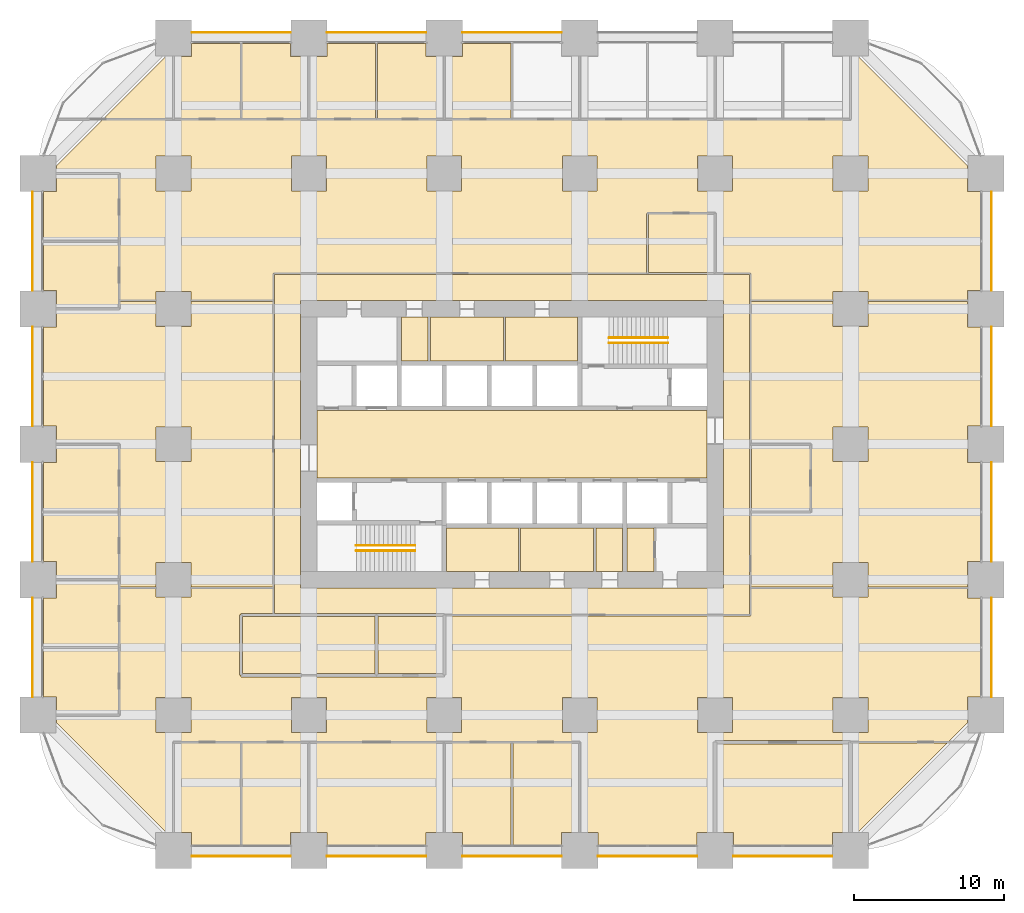
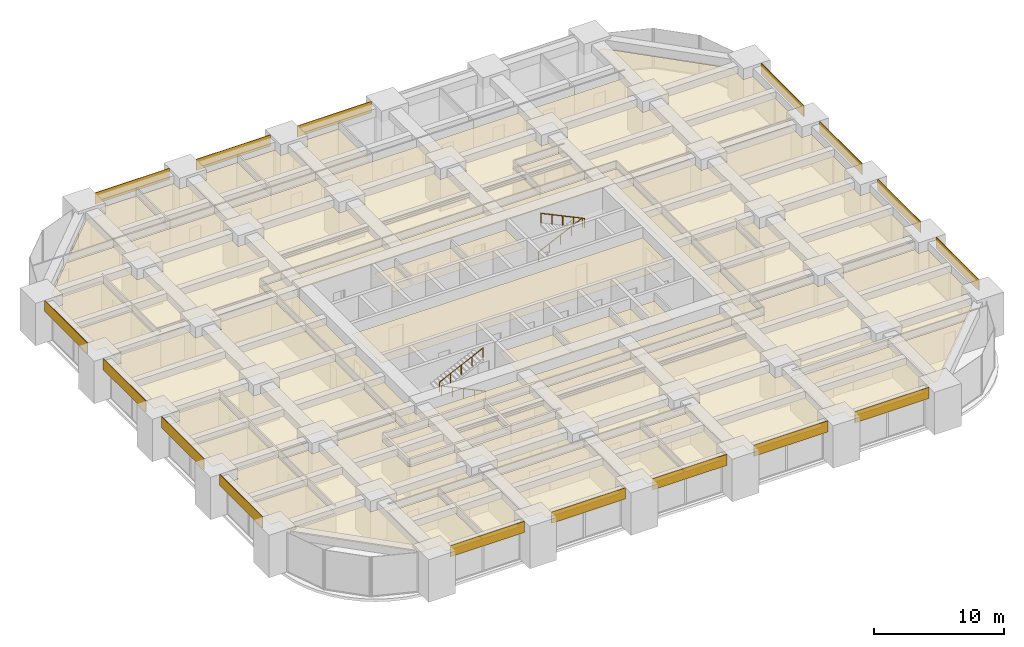
# One storey, part 43 of 44: 52 coverings, 4 railings.
"""IFC4 building model written with IfcOpenShell, lengths in metres."""

from ifc_helpers import new_model, si_unit, direction, frame, frame_2d, origin, origin_2d, place, context, subcontext, project, spatial, polyline, rectangle, circle, outline, extrude, material, layer, layer_set, type_object, element, save


model = new_model("IFC4")

# Units and contexts
model_context = context("Model", 3, precision=1e-05, world=origin(), true_north=direction((0.0, 1.0)))
body_context = subcontext(model_context, "Body", "Model", "MODEL_VIEW")
ifc_project = project(units=[si_unit("LENGTHUNIT", "METRE"), si_unit("AREAUNIT", "SQUARE_METRE"), si_unit("VOLUMEUNIT", "CUBIC_METRE"), si_unit("PLANEANGLEUNIT", "RADIAN"), si_unit("MASSUNIT", "GRAM", prefix="KILO")], contexts=[model_context])

# Site, building, storey
site_placement = place(None, origin())
site = spatial("IfcSite", under=ifc_project, at=site_placement, CompositionType="ELEMENT")
building_placement = place(site_placement, origin())
building = spatial("IfcBuilding", under=site, at=building_placement, Name="Zorevar Civic Tower", CompositionType="ELEMENT")
storey_placement = place(building_placement, frame((0.0, 0.0, 31.800048828125)))
storey = spatial("IfcBuildingStorey", under=building, at=storey_placement, Name="L07", CompositionType="ELEMENT", Elevation=31.800048828125)

# Railings
ifc_material_1 = material(Name="Black steel handrail", Category="steel")
railing_type = type_object("IfcRailingType", Name="Handrail HR1 900", PredefinedType="HANDRAIL", material=ifc_material_1)
railing_1_placement = place(storey_placement, frame((25.050048828125, 19.925048828125, 0.142822265625)))
element("IfcRailing", 1, at=railing_1_placement, inside=storey, type_object=railing_type, Name="Handrail HR1 ST1 L07", PredefinedType="HANDRAIL", context=body_context, shape_type="SweptSolid", body=[
    extrude(circle(Radius=0.02392578125, at=origin_2d()), frame((0.0, 0.0, 0.8759765625), z_axis=(-0.902863652845, 0.0, 0.429926998885), x_axis=(0.0, -1.0, 0.0)), (0.0, 0.0, 1.0), 4.31982421875),
    extrude(circle(Radius=0.02099609375, at=origin_2d()), origin(), (0.0, 0.0, 1.0), 0.851806640625),
    extrude(circle(Radius=0.02099609375, at=origin_2d()), frame((-0.97509765625, 0.0, 0.46435546875)), (0.0, 0.0, 1.0), 0.851806640625),
    extrude(circle(Radius=0.02099609375, at=origin_2d()), frame((-1.9501953125, 0.0, 0.9287109375)), (0.0, 0.0, 1.0), 0.851806640625),
    extrude(circle(Radius=0.02099609375, at=origin_2d()), frame((-2.925048828125, 0.0, 1.392822265625)), (0.0, 0.0, 1.0), 0.851806640625),
    extrude(circle(Radius=0.02099609375, at=origin_2d()), frame((-3.900146484375, 0.0, 1.857177734375)), (0.0, 0.0, 1.0), 0.851806640625),
])
for number, where, name in (
    (2, (21.14990234375, 20.27490234375, 2.142822265625), "Handrail HR1 ST1 L07"),
    (3, (37.949951171875, 34.074951171875, 0.142822265625), "Handrail HR1 ST2 L07"),
):
    element("IfcRailing", number, at=place(storey_placement, frame(where)), inside=storey, type_object=railing_type, Name=name, PredefinedType="HANDRAIL", context=body_context, shape_type="SweptSolid", body=[
        extrude(circle(Radius=0.02392578125, at=origin_2d()), frame((0.0, 0.0, 0.8759765625), z_axis=(0.902863652845, 0.0, 0.429926998885), x_axis=(0.0, 1.0, 0.0)), (0.0, 0.0, 1.0), 4.31982421875),
        extrude(circle(Radius=0.02099609375, at=origin_2d()), origin(), (0.0, 0.0, 1.0), 0.851806640625),
        extrude(circle(Radius=0.02099609375, at=origin_2d()), frame((0.97509765625, 0.0, 0.46435546875)), (0.0, 0.0, 1.0), 0.851806640625),
        extrude(circle(Radius=0.02099609375, at=origin_2d()), frame((1.9501953125, 0.0, 0.9287109375)), (0.0, 0.0, 1.0), 0.851806640625),
        extrude(circle(Radius=0.02099609375, at=origin_2d()), frame((2.925048828125, 0.0, 1.392822265625)), (0.0, 0.0, 1.0), 0.851806640625),
        extrude(circle(Radius=0.02099609375, at=origin_2d()), frame((3.900146484375, 0.0, 1.857177734375)), (0.0, 0.0, 1.0), 0.851806640625),
    ])
railing_2_placement = place(storey_placement, frame((41.85009765625, 33.72509765625, 2.142822265625)))
element("IfcRailing", 4, at=railing_2_placement, inside=storey, type_object=railing_type, Name="Handrail HR1 ST2 L07", PredefinedType="HANDRAIL", context=body_context, shape_type="SweptSolid", body=[
    extrude(circle(Radius=0.02392578125, at=origin_2d()), frame((0.0, 0.0, 0.8759765625), z_axis=(-0.902863652845, 0.0, 0.429926998885), x_axis=(0.0, -1.0, 0.0)), (0.0, 0.0, 1.0), 4.31982421875),
    extrude(circle(Radius=0.02099609375, at=origin_2d()), origin(), (0.0, 0.0, 1.0), 0.851806640625),
    extrude(circle(Radius=0.02099609375, at=origin_2d()), frame((-0.97509765625, 0.0, 0.46435546875)), (0.0, 0.0, 1.0), 0.851806640625),
    extrude(circle(Radius=0.02099609375, at=origin_2d()), frame((-1.9501953125, 0.0, 0.9287109375)), (0.0, 0.0, 1.0), 0.851806640625),
    extrude(circle(Radius=0.02099609375, at=origin_2d()), frame((-2.925048828125, 0.0, 1.392822265625)), (0.0, 0.0, 1.0), 0.851806640625),
    extrude(circle(Radius=0.02099609375, at=origin_2d()), frame((-3.900146484375, 0.0, 1.857177734375)), (0.0, 0.0, 1.0), 0.851806640625),
])

# Coverings
ifc_material_2 = material(Name="Moisture-resistant gypsum board")
ifc_layer_1 = layer(ifc_material_2, 0.012451171875)
ifc_layer_set_1 = layer_set([ifc_layer_1], Name="Moisture-resistant ceiling SC3")
covering_type_1 = type_object("IfcCoveringType", Name="Moisture-resistant ceiling SC3", PredefinedType="CEILING", material=ifc_layer_set_1)
covering_1_placement = place(storey_placement, frame((0.0, 0.0, 3.0)))
element("IfcCovering", 5, at=covering_1_placement, inside=storey, type_object=covering_type_1, Name="Ceiling L07-05", PredefinedType="CEILING", context=body_context, shape_type="SweptSolid", body=[
    extrude(outline(polyline([(31.925048828125, 18.550048828125), (31.925048828125, 21.449951171875), (27.14990234375, 21.449951171875), (27.14990234375, 18.550048828125), (31.925048828125, 18.550048828125)])), origin(), (0.0, 0.0, 1.0), 0.012451171875),
])
covering_2_placement = place(storey_placement, frame((0.0, 0.0, 3.0)))
element("IfcCovering", 6, at=covering_2_placement, inside=storey, type_object=covering_type_1, Name="Ceiling L07-06", PredefinedType="CEILING", context=body_context, shape_type="SweptSolid", body=[
    extrude(outline(polyline([(36.925048828125, 18.550048828125), (36.925048828125, 21.449951171875), (32.074951171875, 21.449951171875), (32.074951171875, 18.550048828125), (36.925048828125, 18.550048828125)])), origin(), (0.0, 0.0, 1.0), 0.012451171875),
])
covering_3_placement = place(storey_placement, frame((0.0, 0.0, 3.0)))
element("IfcCovering", 7, at=covering_3_placement, inside=storey, type_object=covering_type_1, Name="Ceiling L07-07", PredefinedType="CEILING", context=body_context, shape_type="SweptSolid", body=[
    extrude(outline(polyline([(38.85009765625, 18.550048828125), (38.85009765625, 21.449951171875), (37.074951171875, 21.449951171875), (37.074951171875, 18.550048828125), (38.85009765625, 18.550048828125)])), origin(), (0.0, 0.0, 1.0), 0.012451171875),
])
covering_4_placement = place(storey_placement, frame((0.0, 0.0, 3.0)))
element("IfcCovering", 8, at=covering_4_placement, inside=storey, type_object=covering_type_1, Name="Ceiling L07-08", PredefinedType="CEILING", context=body_context, shape_type="SweptSolid", body=[
    extrude(outline(polyline([(35.85009765625, 32.550048828125), (35.85009765625, 35.449951171875), (31.074951171875, 35.449951171875), (31.074951171875, 32.550048828125), (35.85009765625, 32.550048828125)])), origin(), (0.0, 0.0, 1.0), 0.012451171875),
])
covering_5_placement = place(storey_placement, frame((0.0, 0.0, 3.0)))
element("IfcCovering", 9, at=covering_5_placement, inside=storey, type_object=covering_type_1, Name="Ceiling L07-09", PredefinedType="CEILING", context=body_context, shape_type="SweptSolid", body=[
    extrude(outline(polyline([(30.925048828125, 32.550048828125), (30.925048828125, 35.449951171875), (26.074951171875, 35.449951171875), (26.074951171875, 32.550048828125), (30.925048828125, 32.550048828125)])), origin(), (0.0, 0.0, 1.0), 0.012451171875),
])
covering_6_placement = place(storey_placement, frame((0.0, 0.0, 3.0)))
element("IfcCovering", 10, at=covering_6_placement, inside=storey, type_object=covering_type_1, Name="Ceiling L07-10", PredefinedType="CEILING", context=body_context, shape_type="SweptSolid", body=[
    extrude(outline(polyline([(25.925048828125, 32.550048828125), (25.925048828125, 35.449951171875), (24.14990234375, 35.449951171875), (24.14990234375, 32.550048828125), (25.925048828125, 32.550048828125)])), origin(), (0.0, 0.0, 1.0), 0.012451171875),
])
ifc_material_3 = material(Name="Black anodised aluminium spandrel panel", Category="aluminium")
ifc_layer_2 = layer(ifc_material_3, 0.050048828125)
ifc_layer_set_2 = layer_set([ifc_layer_2], Name="Spandrel cladding SP1")
covering_type_2 = type_object("IfcCoveringType", Name="Spandrel cladding SP1", PredefinedType="CLADDING", material=ifc_layer_set_2)
for number, where, z_axis, x_axis, name in (
    (11, (10.199951171875, -0.375, 2.949951171875), (0.0, 0.0, 1.0), (1.0, 0.0, 0.0), "Spandrel cladding L08"),
    (12, (19.199951171875, -0.375, 2.949951171875), (0.0, 0.0, 1.0), (1.0, 0.0, 0.0), "Spandrel cladding L08"),
    (13, (28.199951171875, -0.375, 2.949951171875), (0.0, 0.0, 1.0), (1.0, 0.0, 0.0), "Spandrel cladding L08"),
    (14, (37.199951171875, -0.375, 2.949951171875), (0.0, 0.0, 1.0), (1.0, 0.0, 0.0), "Spandrel cladding L08"),
    (15, (46.199951171875, -0.375, 2.949951171875), (0.0, 0.0, 1.0), (1.0, 0.0, 0.0), "Spandrel cladding L08"),
    (16, (10.199951171875, 54.375, 2.949951171875), (0.0, 0.0, 1.0), (1.0, 0.0, 0.0), "Spandrel cladding L08"),
    (17, (19.199951171875, 54.375, 2.949951171875), (0.0, 0.0, 1.0), (1.0, 0.0, 0.0), "Spandrel cladding L08"),
    (18, (28.199951171875, 54.375, 2.949951171875), (0.0, 0.0, 1.0), (1.0, 0.0, 0.0), "Spandrel cladding L08"),
    (19, (-0.375, 10.199951171875, 2.949951171875), (0.0, 0.0, 1.0), (0.0, 1.0, 0.0), "Spandrel cladding L08"),
    (20, (-0.375, 19.199951171875, 2.949951171875), (0.0, 0.0, 1.0), (0.0, 1.0, 0.0), "Spandrel cladding L08"),
    (21, (-0.375, 28.199951171875, 2.949951171875), (0.0, 0.0, 1.0), (0.0, 1.0, 0.0), "Spandrel cladding L08"),
    (22, (-0.375, 37.199951171875, 2.949951171875), (0.0, 0.0, 1.0), (0.0, 1.0, 0.0), "Spandrel cladding L08"),
    (23, (63.375, 10.199951171875, 2.949951171875), (0.0, 0.0, 1.0), (0.0, 1.0, 0.0), "Spandrel cladding L08"),
    (24, (63.375, 19.199951171875, 2.949951171875), (0.0, 0.0, 1.0), (0.0, 1.0, 0.0), "Spandrel cladding L08"),
    (25, (63.375, 28.199951171875, 2.949951171875), (0.0, 0.0, 1.0), (0.0, 1.0, 0.0), "Spandrel cladding L08"),
    (26, (63.375, 37.199951171875, 2.949951171875), (0.0, 0.0, 1.0), (0.0, 1.0, 0.0), "Spandrel cladding L08"),
):
    element("IfcCovering", number, at=place(storey_placement, frame(where, z_axis=z_axis, x_axis=x_axis)), inside=storey, type_object=covering_type_2, Name=name, PredefinedType="CLADDING", context=body_context, shape_type="SweptSolid", body=[
        extrude(rectangle(XDim=6.60009765625, YDim=0.050048828125, at=frame_2d((3.300048828125, 0.0))), origin(), (0.0, 0.0, 1.0), 1.050048828125),
    ])
ifc_material_4 = material(Name="Mineral fibre tiles on a concealed grid")
ifc_layer_3 = layer(ifc_material_4, 0.02001953125)
ifc_layer_set_3 = layer_set([ifc_layer_3], Name="Suspended ceiling SC1")
covering_type_3 = type_object("IfcCoveringType", Name="Suspended ceiling SC1", PredefinedType="CEILING", material=ifc_layer_set_3)
covering_7_placement = place(storey_placement, frame((0.0, 0.0, 3.0)))
element("IfcCovering", 27, at=covering_7_placement, inside=storey, type_object=covering_type_3, Name="Ceiling L07-11", PredefinedType="CEILING", context=body_context, shape_type="SweptSolid", body=[
    extrude(outline(polyline([(40.93994140625, 18.550048828125), (40.93994140625, 21.449951171875), (39.14990234375, 21.449951171875), (39.14990234375, 18.550048828125), (40.93994140625, 18.550048828125)])), origin(), (0.0, 0.0, 1.0), 0.02001953125),
])
covering_8_placement = place(storey_placement, frame((0.0, 0.0, 3.0)))
element("IfcCovering", 28, at=covering_8_placement, inside=storey, type_object=covering_type_3, Name="Ceiling L07-16", PredefinedType="CEILING", context=body_context, shape_type="SweptSolid", body=[
    extrude(outline(polyline([(44.449951171875, 24.75), (44.449951171875, 29.25), (18.550048828125, 29.25), (18.550048828125, 24.75), (44.449951171875, 24.75)])), origin(), (0.0, 0.0, 1.0), 0.02001953125),
])
covering_9_placement = place(storey_placement, frame((0.0, 0.0, 3.0)))
element("IfcCovering", 29, at=covering_9_placement, inside=storey, type_object=covering_type_3, Name="Ceiling L07-17", PredefinedType="CEILING", context=body_context, shape_type="SweptSolid", body=[
    extrude(outline(polyline([(13.43994140625, 7.139892578125), (13.43994140625, 0.35009765625), (10.2099609375, 0.35009765625), (10.2099609375, 1.2099609375), (9.06005859375, 1.2099609375), (9.06005859375, 7.139892578125), (13.43994140625, 7.139892578125)])), origin(), (0.0, 0.0, 1.0), 0.02001953125),
])
covering_10_placement = place(storey_placement, frame((0.0, 0.0, 3.0)))
element("IfcCovering", 30, at=covering_10_placement, inside=storey, type_object=covering_type_3, Name="Ceiling L07-18", PredefinedType="CEILING", context=body_context, shape_type="SweptSolid", body=[
    extrude(outline(polyline([(17.93994140625, 7.139892578125), (17.93994140625, 1.2099609375), (16.7900390625, 1.2099609375), (16.7900390625, 0.35009765625), (13.56005859375, 0.35009765625), (13.56005859375, 7.139892578125), (17.93994140625, 7.139892578125)])), origin(), (0.0, 0.0, 1.0), 0.02001953125),
])
covering_11_placement = place(storey_placement, frame((0.0, 0.0, 3.0)))
element("IfcCovering", 31, at=covering_11_placement, inside=storey, type_object=covering_type_3, Name="Ceiling L07-19", PredefinedType="CEILING", context=body_context, shape_type="SweptSolid", body=[
    extrude(outline(polyline([(19.2099609375, 0.35009765625), (19.2099609375, 1.2099609375), (18.06005859375, 1.2099609375), (18.06005859375, 7.139892578125), (26.93994140625, 7.139892578125), (26.93994140625, 1.2099609375), (25.7900390625, 1.2099609375), (25.7900390625, 0.35009765625), (19.2099609375, 0.35009765625)])), origin(), (0.0, 0.0, 1.0), 0.02001953125),
])
covering_12_placement = place(storey_placement, frame((0.0, 0.0, 3.0)))
element("IfcCovering", 32, at=covering_12_placement, inside=storey, type_object=covering_type_3, Name="Ceiling L07-20", PredefinedType="CEILING", context=body_context, shape_type="SweptSolid", body=[
    extrude(outline(polyline([(31.43994140625, 7.139892578125), (31.43994140625, 0.35009765625), (28.2099609375, 0.35009765625), (28.2099609375, 1.2099609375), (27.06005859375, 1.2099609375), (27.06005859375, 7.139892578125), (31.43994140625, 7.139892578125)])), origin(), (0.0, 0.0, 1.0), 0.02001953125),
])
covering_13_placement = place(storey_placement, frame((0.0, 0.0, 3.0)))
element("IfcCovering", 33, at=covering_13_placement, inside=storey, type_object=covering_type_3, Name="Ceiling L07-21", PredefinedType="CEILING", context=body_context, shape_type="SweptSolid", body=[
    extrude(outline(polyline([(35.93994140625, 7.139892578125), (35.93994140625, 1.2099609375), (34.7900390625, 1.2099609375), (34.7900390625, 0.35009765625), (31.56005859375, 0.35009765625), (31.56005859375, 7.139892578125), (35.93994140625, 7.139892578125)])), origin(), (0.0, 0.0, 1.0), 0.02001953125),
])
covering_14_placement = place(storey_placement, frame((0.0, 0.0, 3.0)))
element("IfcCovering", 34, at=covering_14_placement, inside=storey, type_object=covering_type_3, Name="Ceiling L07-22", PredefinedType="CEILING", context=body_context, shape_type="SweptSolid", body=[
    extrude(outline(polyline([(46.2099609375, 0.35009765625), (46.2099609375, 1.2099609375), (45.125, 1.2099609375), (45.125, 7.074951171875), (53.875, 7.074951171875), (53.875, 1.2099609375), (52.7900390625, 1.2099609375), (52.7900390625, 0.35009765625), (46.2099609375, 0.35009765625)])), origin(), (0.0, 0.0, 1.0), 0.02001953125),
])
covering_15_placement = place(storey_placement, frame((0.0, 0.0, 3.0)))
element("IfcCovering", 35, at=covering_15_placement, inside=storey, type_object=covering_type_3, Name="Ceiling L07-23", PredefinedType="CEILING", context=body_context, shape_type="SweptSolid", body=[
    extrude(outline(polyline([(13.60009765625, 11.75), (13.60009765625, 15.550048828125), (22.39990234375, 15.550048828125), (22.39990234375, 11.75), (13.60009765625, 11.75)])), origin(), (0.0, 0.0, 1.0), 0.02001953125),
])
covering_16_placement = place(storey_placement, frame((0.0, 0.0, 3.0)))
element("IfcCovering", 36, at=covering_16_placement, inside=storey, type_object=covering_type_3, Name="Ceiling L07-24", PredefinedType="CEILING", context=body_context, shape_type="SweptSolid", body=[
    extrude(outline(polyline([(22.60009765625, 11.75), (22.60009765625, 15.550048828125), (26.89990234375, 15.550048828125), (26.89990234375, 11.75), (22.60009765625, 11.75)])), origin(), (0.0, 0.0, 1.0), 0.02001953125),
])
covering_17_placement = place(storey_placement, frame((0.0, 0.0, 3.0)))
element("IfcCovering", 37, at=covering_17_placement, inside=storey, type_object=covering_type_3, Name="Ceiling L07-25", PredefinedType="CEILING", context=body_context, shape_type="SweptSolid", body=[
    extrude(outline(polyline([(5.340087890625, 9.06005859375), (1.2099609375, 9.06005859375), (1.2099609375, 10.2099609375), (0.35009765625, 10.2099609375), (0.35009765625, 13.43994140625), (5.340087890625, 13.43994140625), (5.340087890625, 9.06005859375)])), origin(), (0.0, 0.0, 1.0), 0.02001953125),
])
covering_18_placement = place(storey_placement, frame((0.0, 0.0, 3.0)))
element("IfcCovering", 38, at=covering_18_placement, inside=storey, type_object=covering_type_3, Name="Ceiling L07-26", PredefinedType="CEILING", context=body_context, shape_type="SweptSolid", body=[
    extrude(outline(polyline([(5.340087890625, 13.56005859375), (0.35009765625, 13.56005859375), (0.35009765625, 16.7900390625), (1.2099609375, 16.7900390625), (1.2099609375, 17.93994140625), (5.340087890625, 17.93994140625), (5.340087890625, 13.56005859375)])), origin(), (0.0, 0.0, 1.0), 0.02001953125),
])
covering_19_placement = place(storey_placement, frame((0.0, 0.0, 3.0)))
element("IfcCovering", 39, at=covering_19_placement, inside=storey, type_object=covering_type_3, Name="Ceiling L07-27", PredefinedType="CEILING", context=body_context, shape_type="SweptSolid", body=[
    extrude(outline(polyline([(5.340087890625, 18.06005859375), (1.2099609375, 18.06005859375), (1.2099609375, 19.2099609375), (0.35009765625, 19.2099609375), (0.35009765625, 22.43994140625), (5.340087890625, 22.43994140625), (5.340087890625, 18.06005859375)])), origin(), (0.0, 0.0, 1.0), 0.02001953125),
])
covering_20_placement = place(storey_placement, frame((0.0, 0.0, 3.0)))
element("IfcCovering", 40, at=covering_20_placement, inside=storey, type_object=covering_type_3, Name="Ceiling L07-28", PredefinedType="CEILING", context=body_context, shape_type="SweptSolid", body=[
    extrude(outline(polyline([(5.340087890625, 22.56005859375), (0.35009765625, 22.56005859375), (0.35009765625, 25.7900390625), (1.2099609375, 25.7900390625), (1.2099609375, 26.93994140625), (5.340087890625, 26.93994140625), (5.340087890625, 22.56005859375)])), origin(), (0.0, 0.0, 1.0), 0.02001953125),
])
covering_21_placement = place(storey_placement, frame((0.0, 0.0, 3.0)))
element("IfcCovering", 41, at=covering_21_placement, inside=storey, type_object=covering_type_3, Name="Ceiling L07-29", PredefinedType="CEILING", context=body_context, shape_type="SweptSolid", body=[
    extrude(outline(polyline([(5.340087890625, 36.06005859375), (1.2099609375, 36.06005859375), (1.2099609375, 37.2099609375), (0.35009765625, 37.2099609375), (0.35009765625, 40.43994140625), (5.340087890625, 40.43994140625), (5.340087890625, 36.06005859375)])), origin(), (0.0, 0.0, 1.0), 0.02001953125),
])
covering_22_placement = place(storey_placement, frame((0.0, 0.0, 3.0)))
element("IfcCovering", 42, at=covering_22_placement, inside=storey, type_object=covering_type_3, Name="Ceiling L07-30", PredefinedType="CEILING", context=body_context, shape_type="SweptSolid", body=[
    extrude(outline(polyline([(5.340087890625, 40.56005859375), (0.35009765625, 40.56005859375), (0.35009765625, 43.7900390625), (1.2099609375, 43.7900390625), (1.2099609375, 44.93994140625), (5.340087890625, 44.93994140625), (5.340087890625, 40.56005859375)])), origin(), (0.0, 0.0, 1.0), 0.02001953125),
])
covering_23_placement = place(storey_placement, frame((0.0, 0.0, 3.0)))
element("IfcCovering", 43, at=covering_23_placement, inside=storey, type_object=covering_type_3, Name="Ceiling L07-31", PredefinedType="CEILING", context=body_context, shape_type="SweptSolid", body=[
    extrude(outline(polyline([(9.06005859375, 48.659912109375), (9.06005859375, 52.7900390625), (10.2099609375, 52.7900390625), (10.2099609375, 53.64990234375), (13.43994140625, 53.64990234375), (13.43994140625, 48.659912109375), (9.06005859375, 48.659912109375)])), origin(), (0.0, 0.0, 1.0), 0.02001953125),
])
covering_24_placement = place(storey_placement, frame((0.0, 0.0, 3.0)))
element("IfcCovering", 44, at=covering_24_placement, inside=storey, type_object=covering_type_3, Name="Ceiling L07-32", PredefinedType="CEILING", context=body_context, shape_type="SweptSolid", body=[
    extrude(outline(polyline([(13.56005859375, 48.659912109375), (13.56005859375, 53.64990234375), (16.7900390625, 53.64990234375), (16.7900390625, 52.7900390625), (17.93994140625, 52.7900390625), (17.93994140625, 48.659912109375), (13.56005859375, 48.659912109375)])), origin(), (0.0, 0.0, 1.0), 0.02001953125),
])
covering_25_placement = place(storey_placement, frame((0.0, 0.0, 3.0)))
element("IfcCovering", 45, at=covering_25_placement, inside=storey, type_object=covering_type_3, Name="Ceiling L07-33", PredefinedType="CEILING", context=body_context, shape_type="SweptSolid", body=[
    extrude(outline(polyline([(18.06005859375, 48.659912109375), (18.06005859375, 52.7900390625), (19.2099609375, 52.7900390625), (19.2099609375, 53.64990234375), (22.43994140625, 53.64990234375), (22.43994140625, 48.659912109375), (18.06005859375, 48.659912109375)])), origin(), (0.0, 0.0, 1.0), 0.02001953125),
])
covering_26_placement = place(storey_placement, frame((0.0, 0.0, 3.0)))
element("IfcCovering", 46, at=covering_26_placement, inside=storey, type_object=covering_type_3, Name="Ceiling L07-34", PredefinedType="CEILING", context=body_context, shape_type="SweptSolid", body=[
    extrude(outline(polyline([(22.56005859375, 48.659912109375), (22.56005859375, 53.64990234375), (25.7900390625, 53.64990234375), (25.7900390625, 52.7900390625), (26.93994140625, 52.7900390625), (26.93994140625, 48.659912109375), (22.56005859375, 48.659912109375)])), origin(), (0.0, 0.0, 1.0), 0.02001953125),
])
covering_27_placement = place(storey_placement, frame((0.0, 0.0, 3.0)))
element("IfcCovering", 47, at=covering_27_placement, inside=storey, type_object=covering_type_3, Name="Ceiling L07-35", PredefinedType="CEILING", context=body_context, shape_type="SweptSolid", body=[
    extrude(outline(polyline([(27.06005859375, 48.659912109375), (27.06005859375, 52.7900390625), (28.2099609375, 52.7900390625), (28.2099609375, 53.64990234375), (31.43994140625, 53.64990234375), (31.43994140625, 48.659912109375), (27.06005859375, 48.659912109375)])), origin(), (0.0, 0.0, 1.0), 0.02001953125),
])
covering_28_placement = place(storey_placement, frame((0.0, 0.0, 3.0)))
element("IfcCovering", 48, at=covering_28_placement, inside=storey, type_object=covering_type_3, Name="Ceiling L07-41", PredefinedType="CEILING", context=body_context, shape_type="SweptSolid", body=[
    extrude(outline(polyline([(44.93994140625, 38.409912109375), (40.56005859375, 38.409912109375), (40.56005859375, 42.2900390625), (44.93994140625, 42.2900390625), (44.93994140625, 38.409912109375)])), origin(), (0.0, 0.0, 1.0), 0.02001953125),
])
covering_29_placement = place(storey_placement, frame((0.0, 0.0, 3.0)))
element("IfcCovering", 49, at=covering_29_placement, inside=storey, type_object=covering_type_3, Name="Ceiling L07-42", PredefinedType="CEILING", context=body_context, shape_type="SweptSolid", body=[
    extrude(outline(polyline([(47.409912109375, 22.56005859375), (47.409912109375, 26.93994140625), (51.2900390625, 26.93994140625), (51.2900390625, 22.56005859375), (47.409912109375, 22.56005859375)])), origin(), (0.0, 0.0, 1.0), 0.02001953125),
])
covering_30_placement = place(storey_placement, frame((0.0, 0.0, 3.0)))
element("IfcCovering", 50, at=covering_30_placement, inside=storey, type_object=covering_type_3, Name="Ceiling L07-43", PredefinedType="CEILING", context=body_context, shape_type="SweptSolid", body=[
    extrude(outline(polyline([(8.93994140625, 52.7900390625), (8.93994140625, 48.659912109375), (4.3671875, 48.659912109375), (8.4970703125, 52.7900390625), (8.93994140625, 52.7900390625)])), origin(), (0.0, 0.0, 1.0), 0.02001953125),
])
covering_31_placement = place(storey_placement, frame((0.0, 0.0, 3.0)))
element("IfcCovering", 51, at=covering_31_placement, inside=storey, type_object=covering_type_3, Name="Ceiling L07-44", PredefinedType="CEILING", context=body_context, shape_type="SweptSolid", body=[
    extrude(outline(polyline([(54.125, 1.2099609375), (54.125, 7.14990234375), (60.44287109375, 7.14990234375), (54.5029296875, 1.2099609375), (54.125, 1.2099609375)])), origin(), (0.0, 0.0, 1.0), 0.02001953125),
])
covering_32_placement = place(storey_placement, frame((0.0, 0.0, 3.0)))
element("IfcCovering", 52, at=covering_32_placement, inside=storey, type_object=covering_type_3, Name="Ceiling L07-45", PredefinedType="CEILING", context=body_context, shape_type="SweptSolid", body=[
    extrude(outline(polyline([(15.699951171875, 38.300048828125), (40.5, 38.300048828125), (40.5, 38.2900390625), (45.0, 38.2900390625), (45.0, 38.300048828125), (47.300048828125, 38.300048828125), (47.300048828125, 27.0), (47.2900390625, 27.0), (47.2900390625, 22.5), (47.300048828125, 22.5), (47.300048828125, 15.699951171875), (27.0, 15.699951171875), (27.0, 15.75), (15.699951171875, 15.75), (15.699951171875, 38.300048828125)]), holes=[polyline([(45.550048828125, 17.449951171875), (45.550048828125, 36.550048828125), (17.449951171875, 36.550048828125), (17.449951171875, 17.449951171875), (45.550048828125, 17.449951171875)])]), origin(), (0.0, 0.0, 1.0), 0.02001953125),
])
covering_33_placement = place(storey_placement, frame((0.0, 0.0, 3.0)))
element("IfcCovering", 53, at=covering_33_placement, inside=storey, type_object=covering_type_3, Name="Ceiling L07-46", PredefinedType="CEILING", context=body_context, shape_type="SweptSolid", body=[
    extrude(outline(polyline([(55.159912109375, 34.840087890625), (55.159912109375, 36.5), (61.7900390625, 36.5), (61.7900390625, 34.7900390625), (62.64990234375, 34.7900390625), (62.64990234375, 28.2099609375), (61.7900390625, 28.2099609375), (61.7900390625, 25.7900390625), (62.64990234375, 25.7900390625), (62.64990234375, 19.2099609375), (61.7900390625, 19.2099609375), (61.7900390625, 17.5), (55.159912109375, 17.5), (55.159912109375, 19.159912109375), (52.840087890625, 19.159912109375), (52.840087890625, 17.5), (47.39990234375, 17.5), (47.39990234375, 22.43994140625), (51.35009765625, 22.43994140625), (51.35009765625, 22.5), (51.409912109375, 22.5), (51.409912109375, 27.0), (51.35009765625, 27.0), (51.35009765625, 27.06005859375), (47.39990234375, 27.06005859375), (47.39990234375, 36.5), (52.840087890625, 36.5), (52.840087890625, 34.840087890625), (55.159912109375, 34.840087890625)]), holes=[polyline([(55.159912109375, 28.159912109375), (52.840087890625, 28.159912109375), (52.840087890625, 25.840087890625), (55.159912109375, 25.840087890625), (55.159912109375, 28.159912109375)])]), origin(), (0.0, 0.0, 1.0), 0.02001953125),
])
covering_34_placement = place(storey_placement, frame((0.0, 0.0, 3.0)))
element("IfcCovering", 54, at=covering_34_placement, inside=storey, type_object=covering_type_3, Name="Ceiling L07-47", PredefinedType="CEILING", context=body_context, shape_type="SweptSolid", body=[
    extrude(outline(polyline([(62.64990234375, 43.7900390625), (62.64990234375, 37.2099609375), (61.7900390625, 37.2099609375), (61.7900390625, 36.60009765625), (55.159912109375, 36.60009765625), (55.159912109375, 37.159912109375), (52.840087890625, 37.159912109375), (52.840087890625, 36.60009765625), (47.39990234375, 36.60009765625), (47.39990234375, 38.35009765625), (47.35009765625, 38.35009765625), (47.35009765625, 38.39990234375), (45.06005859375, 38.39990234375), (45.06005859375, 42.35009765625), (45.0, 42.35009765625), (45.0, 42.409912109375), (40.5, 42.409912109375), (40.5, 42.35009765625), (40.43994140625, 42.35009765625), (40.43994140625, 38.39990234375), (15.64990234375, 38.39990234375), (15.64990234375, 38.35009765625), (15.60009765625, 38.35009765625), (15.60009765625, 36.60009765625), (10.159912109375, 36.60009765625), (10.159912109375, 37.159912109375), (7.840087890625, 37.159912109375), (7.840087890625, 36.60009765625), (5.4599609375, 36.60009765625), (5.4599609375, 45.0), (5.39990234375, 45.0), (5.39990234375, 45.06005859375), (1.2099609375, 45.06005859375), (1.2099609375, 45.5029296875), (4.2470703125, 48.5400390625), (54.0, 48.5400390625), (54.0, 48.60009765625), (54.06005859375, 48.60009765625), (54.06005859375, 52.7900390625), (54.5029296875, 52.7900390625), (61.7900390625, 45.5029296875), (61.7900390625, 43.7900390625), (62.64990234375, 43.7900390625)]), holes=[polyline([(10.159912109375, 43.840087890625), (10.159912109375, 46.159912109375), (7.840087890625, 46.159912109375), (7.840087890625, 43.840087890625), (10.159912109375, 43.840087890625)]), polyline([(16.840087890625, 43.840087890625), (19.159912109375, 43.840087890625), (19.159912109375, 46.159912109375), (16.840087890625, 46.159912109375), (16.840087890625, 43.840087890625)]), polyline([(25.840087890625, 46.159912109375), (25.840087890625, 43.840087890625), (28.159912109375, 43.840087890625), (28.159912109375, 46.159912109375), (25.840087890625, 46.159912109375)]), polyline([(37.159912109375, 46.159912109375), (34.840087890625, 46.159912109375), (34.840087890625, 43.840087890625), (37.159912109375, 43.840087890625), (37.159912109375, 46.159912109375)]), polyline([(46.159912109375, 43.840087890625), (46.159912109375, 46.159912109375), (43.840087890625, 46.159912109375), (43.840087890625, 43.840087890625), (46.159912109375, 43.840087890625)]), polyline([(52.840087890625, 46.159912109375), (52.840087890625, 43.840087890625), (55.159912109375, 43.840087890625), (55.159912109375, 46.159912109375), (52.840087890625, 46.159912109375)])]), origin(), (0.0, 0.0, 1.0), 0.02001953125),
])
covering_35_placement = place(storey_placement, frame((0.0, 0.0, 3.0)))
element("IfcCovering", 55, at=covering_35_placement, inside=storey, type_object=covering_type_3, Name="Ceiling L07-48", PredefinedType="CEILING", context=body_context, shape_type="SweptSolid", body=[
    extrude(outline(polyline([(7.840087890625, 16.840087890625), (10.159912109375, 16.840087890625), (10.159912109375, 17.39990234375), (15.60009765625, 17.39990234375), (15.60009765625, 15.75), (13.5, 15.75), (13.5, 15.64990234375), (13.39990234375, 15.64990234375), (13.39990234375, 11.64990234375), (13.5, 11.64990234375), (13.5, 11.550048828125), (27.0, 11.550048828125), (27.0, 11.64990234375), (27.10009765625, 11.64990234375), (27.10009765625, 15.60009765625), (47.35009765625, 15.60009765625), (47.35009765625, 15.64990234375), (47.39990234375, 15.64990234375), (47.39990234375, 17.39990234375), (52.840087890625, 17.39990234375), (52.840087890625, 16.840087890625), (55.159912109375, 16.840087890625), (55.159912109375, 17.39990234375), (61.7900390625, 17.39990234375), (61.7900390625, 16.7900390625), (62.64990234375, 16.7900390625), (62.64990234375, 10.2099609375), (61.7900390625, 10.2099609375), (61.7900390625, 8.4970703125), (60.54296875, 7.25), (54.0, 7.25), (54.0, 7.324951171875), (45.0, 7.324951171875), (45.0, 7.199951171875), (44.875, 7.199951171875), (44.875, 1.2099609375), (43.7900390625, 1.2099609375), (43.7900390625, 0.35009765625), (37.2099609375, 0.35009765625), (37.2099609375, 1.2099609375), (36.06005859375, 1.2099609375), (36.06005859375, 7.199951171875), (36.0, 7.199951171875), (36.0, 7.260009765625), (9.0, 7.260009765625), (9.0, 7.199951171875), (8.93994140625, 7.199951171875), (8.93994140625, 1.2099609375), (8.4970703125, 1.2099609375), (1.2099609375, 8.4970703125), (1.2099609375, 8.93994140625), (5.39990234375, 8.93994140625), (5.39990234375, 9.0), (5.4599609375, 9.0), (5.4599609375, 17.39990234375), (7.840087890625, 17.39990234375), (7.840087890625, 16.840087890625)]), holes=[polyline([(7.840087890625, 10.159912109375), (7.840087890625, 7.840087890625), (10.159912109375, 7.840087890625), (10.159912109375, 10.159912109375), (7.840087890625, 10.159912109375)]), polyline([(19.159912109375, 7.840087890625), (19.159912109375, 10.159912109375), (16.840087890625, 10.159912109375), (16.840087890625, 7.840087890625), (19.159912109375, 7.840087890625)]), polyline([(25.840087890625, 7.840087890625), (28.159912109375, 7.840087890625), (28.159912109375, 10.159912109375), (25.840087890625, 10.159912109375), (25.840087890625, 7.840087890625)]), polyline([(37.159912109375, 10.159912109375), (34.840087890625, 10.159912109375), (34.840087890625, 7.840087890625), (37.159912109375, 7.840087890625), (37.159912109375, 10.159912109375)]), polyline([(43.840087890625, 7.840087890625), (46.159912109375, 7.840087890625), (46.159912109375, 10.159912109375), (43.840087890625, 10.159912109375), (43.840087890625, 7.840087890625)]), polyline([(52.840087890625, 10.159912109375), (52.840087890625, 7.840087890625), (55.159912109375, 7.840087890625), (55.159912109375, 10.159912109375), (52.840087890625, 10.159912109375)])]), origin(), (0.0, 0.0, 1.0), 0.02001953125),
])
covering_36_placement = place(storey_placement, frame((0.0, 0.0, 3.0)))
element("IfcCovering", 56, at=covering_36_placement, inside=storey, type_object=covering_type_3, Name="Ceiling L07-49", PredefinedType="CEILING", context=body_context, shape_type="SweptSolid", body=[
    extrude(outline(polyline([(5.39990234375, 27.0), (5.39990234375, 27.06005859375), (1.2099609375, 27.06005859375), (1.2099609375, 28.2099609375), (0.35009765625, 28.2099609375), (0.35009765625, 34.7900390625), (1.2099609375, 34.7900390625), (1.2099609375, 35.93994140625), (5.39990234375, 35.93994140625), (5.39990234375, 36.0), (5.4599609375, 36.0), (5.4599609375, 36.5), (7.840087890625, 36.5), (7.840087890625, 34.840087890625), (10.159912109375, 34.840087890625), (10.159912109375, 36.5), (15.60009765625, 36.5), (15.60009765625, 17.5), (10.159912109375, 17.5), (10.159912109375, 19.159912109375), (7.840087890625, 19.159912109375), (7.840087890625, 17.5), (5.4599609375, 17.5), (5.4599609375, 27.0), (5.39990234375, 27.0)]), holes=[polyline([(7.840087890625, 28.159912109375), (7.840087890625, 25.840087890625), (10.159912109375, 25.840087890625), (10.159912109375, 28.159912109375), (7.840087890625, 28.159912109375)])]), origin(), (0.0, 0.0, 1.0), 0.02001953125),
])

save(model, "model.ifc")
